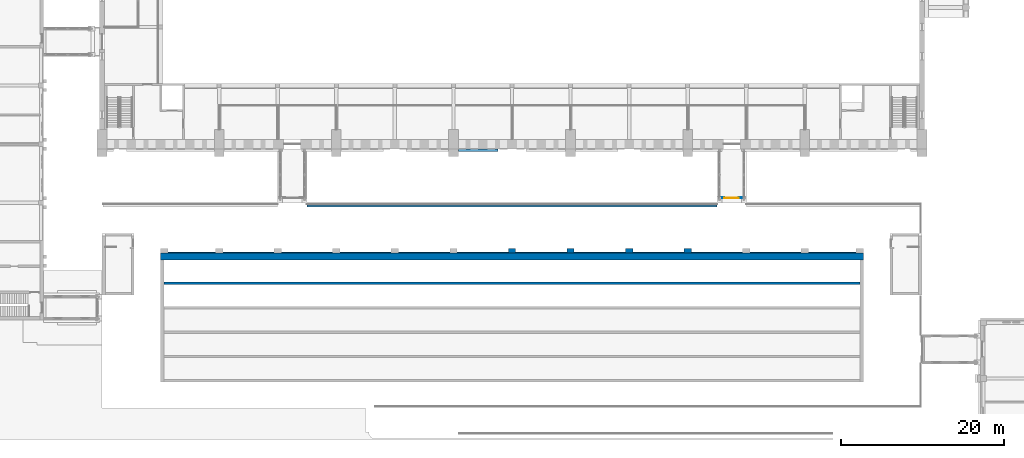
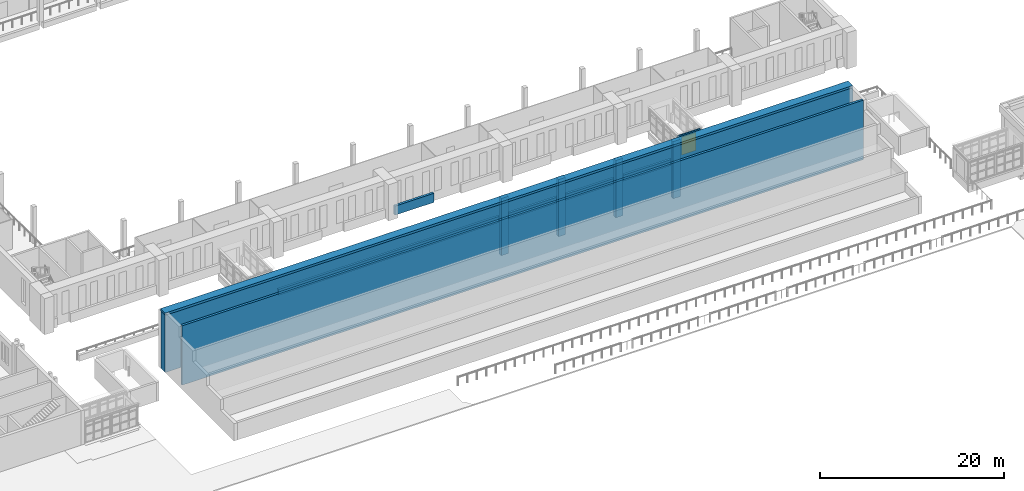
# One storey, part 80 of 131: 10 walls, 1 door, 1 opening.
"""IFC4 building model written with IfcOpenShell, lengths in metres."""

from ifc_helpers import new_model, si_unit, direction, frame, frame_2d, origin, place, context, subcontext, project, spatial, rectangle, extrude, material, layer, layer_set, type_object, element, fill, save


model = new_model("IFC4")

# Units and contexts
model_context = context("Model", 3, precision=1e-05, world=origin(), true_north=direction((0.0, 1.0)))
body_context = subcontext(model_context, "Body", "Model", "MODEL_VIEW")
ifc_project = project(units=[si_unit("LENGTHUNIT", "METRE"), si_unit("AREAUNIT", "SQUARE_METRE"), si_unit("VOLUMEUNIT", "CUBIC_METRE"), si_unit("PLANEANGLEUNIT", "RADIAN"), si_unit("MASSUNIT", "GRAM", prefix="KILO")], contexts=[model_context])

# Site, building, storey
site_placement = place(None, origin())
site = spatial("IfcSite", under=ifc_project, at=site_placement, CompositionType="ELEMENT")
building_placement = place(site_placement, origin())
building = spatial("IfcBuilding", under=site, at=building_placement, Name="Alderwick Market Hall", CompositionType="ELEMENT")
storey_placement = place(building_placement, frame((0.0, 0.0, 4.800048828125)))
storey = spatial("IfcBuildingStorey", under=building, at=storey_placement, Name="L00", CompositionType="ELEMENT", Elevation=4.800048828125)

# Walls
ifc_material_1 = material(Name="Cast stone 5000 psi", Category="masonry")
ifc_layer_1 = layer(ifc_material_1, 0.300048828125)
ifc_layer_set_1 = layer_set([ifc_layer_1], Name="Cast stone 5000 psi")
wall_type_1 = type_object("IfcWallType", Name="A Cast Stone Balustrade Parapet 300", PredefinedType="SOLIDWALL", material=ifc_layer_set_1)
wall_1_placement = place(storey_placement, frame((75.60009765625, 42.800048828125, 0.0), z_axis=(0.0, 0.0, 1.0), x_axis=(1.0, 0.0, 0.0)))
element("IfcWall", 1, at=wall_1_placement, inside=storey, type_object=wall_type_1, Name="A.S.parapet.01", PredefinedType="SOLIDWALL", context=body_context, shape_type="SweptSolid", body=[
    extrude(rectangle(XDim=50.39990234375, YDim=0.300048828125, at=frame_2d((25.199951171875, 0.0))), origin(), (0.0, 0.0, 1.0), 0.800048828125),
])
ifc_layer_2 = layer(ifc_material_1, 1.0)
ifc_layer_set_2 = layer_set([ifc_layer_2], Name="Cast stone 5000 psi")
wall_type_2 = type_object("IfcWallType", Name="A Cast Stone Bank Coping 1000", PredefinedType="SOLIDWALL", material=ifc_layer_set_2)
wall_2_placement = place(storey_placement, frame((57.60009765625, 36.64990234375, 7.599853515625), z_axis=(0.0, 0.0, 1.0), x_axis=(1.0, 0.0, 0.0)))
element("IfcWall", 2, at=wall_2_placement, inside=storey, type_object=wall_type_2, Name="Bank coping", PredefinedType="SOLIDWALL", context=body_context, shape_type="SweptSolid", body=[
    extrude(rectangle(XDim=86.39990234375, YDim=1.0, at=frame_2d((43.199951171875, 0.0))), origin(), (0.0, 0.0, 1.0), 0.300048828125),
])
ifc_material_2 = material(Name="Concrete 5000 psi (f'c 35 MPa)", Category="concrete")
ifc_layer_3 = layer(ifc_material_2, 0.89990234375)
ifc_layer_set_3 = layer_set([ifc_layer_3], Name="Concrete 5000 psi (f'c 35 MPa)")
wall_type_3 = type_object("IfcWallType", Name="A RC Bank Buttress 900", PredefinedType="SOLIDWALL", material=ifc_layer_set_3)
for number, where, z_axis, x_axis, name in (
    (3, (100.800048828125, 37.050048828125, 0.0), (0.0, 0.0, 1.0), (0.0, 1.0, 0.0), "Bank buttress"),
    (4, (108.0, 37.050048828125, 0.0), (0.0, 0.0, 1.0), (0.0, 1.0, 0.0), "Bank buttress"),
    (5, (115.199951171875, 37.050048828125, 0.0), (0.0, 0.0, 1.0), (0.0, 1.0, 0.0), "Bank buttress"),
    (6, (122.39990234375, 37.050048828125, 0.0), (0.0, 0.0, 1.0), (0.0, 1.0, 0.0), "Bank buttress"),
):
    element("IfcWall", number, at=place(storey_placement, frame(where, z_axis=z_axis, x_axis=x_axis)), inside=storey, type_object=wall_type_3, Name=name, PredefinedType="SOLIDWALL", context=body_context, shape_type="SweptSolid", body=[
        extrude(rectangle(XDim=0.5, YDim=0.89990234375, at=frame_2d((0.25, 0.0))), origin(), (0.0, 0.0, 1.0), 7.599853515625),
    ])
ifc_layer_4 = layer(ifc_material_2, 0.89990234375)
ifc_layer_set_4 = layer_set([ifc_layer_4], Name="Concrete 5000 psi (f'c 35 MPa)")
wall_type_4 = type_object("IfcWallType", Name="A RC Bank Retaining Wall 900", PredefinedType="SOLIDWALL", material=ifc_layer_set_4)
wall_3_placement = place(storey_placement, frame((57.60009765625, 36.60009765625, 0.0), z_axis=(0.0, 0.0, 1.0), x_axis=(1.0, 0.0, 0.0)))
element("IfcWall", 7, at=wall_3_placement, inside=storey, type_object=wall_type_4, Name="Bank retaining wall", PredefinedType="SOLIDWALL", context=body_context, shape_type="SweptSolid", body=[
    extrude(rectangle(XDim=86.39990234375, YDim=0.89990234375, at=frame_2d((43.199951171875, 0.0))), origin(), (0.0, 0.0, 1.0), 7.599853515625),
])
ifc_layer_5 = layer(ifc_material_2, 0.300048828125)
ifc_layer_set_5 = layer_set([ifc_layer_5], Name="Concrete 5000 psi (f'c 35 MPa)")
wall_type_5 = type_object("IfcWallType", Name="A RC Terrace Parapet Wall 300", PredefinedType="SOLIDWALL", material=ifc_layer_set_5)
wall_4_placement = place(storey_placement, frame((58.0, 33.300048828125, 0.0), z_axis=(0.0, 0.0, 1.0), x_axis=(1.0, 0.0, 0.0)))
element("IfcWall", 8, at=wall_4_placement, inside=storey, type_object=wall_type_5, Name="Terrace parapet wall 1", PredefinedType="SOLIDWALL", context=body_context, shape_type="SweptSolid", body=[
    extrude(rectangle(XDim=85.60009765625, YDim=0.300048828125, at=frame_2d((42.800048828125, 0.0))), origin(), (0.0, 0.0, 1.0), 7.89990234375),
])
ifc_material_3 = material(Name="Cast stone 5000 psi (f'c 35 MPa), ASTM C1364", Category="masonry")
ifc_layer_6 = layer(ifc_material_3, 0.300048828125)
ifc_layer_set_6 = layer_set([ifc_layer_6], Name="Cast stone 5000 psi (f'c 35 MPa), ASTM C1364")
wall_type_6 = type_object("IfcWallType", Name="H Base course 300", PredefinedType="SOLIDWALL", material=ifc_layer_set_6)
wall_5_placement = place(storey_placement, frame((94.199951171875, 49.64990234375, 0.0), z_axis=(0.0, 0.0, 1.0), x_axis=(1.0, 0.0, 0.0)))
element("IfcWall", 9, at=wall_5_placement, inside=storey, type_object=wall_type_6, Name="Base course S4", PredefinedType="SOLIDWALL", context=body_context, shape_type="SweptSolid", body=[
    extrude(rectangle(XDim=4.900146484375, YDim=0.300048828125, at=frame_2d((2.4501953125, 0.0))), origin(), (0.0, 0.0, 1.0), 1.199951171875),
])

# Wall, opening, door
ifc_material_4 = material(Name="Aluminium frame with glazing infill", Category="aluminium")
ifc_layer_7 = layer(ifc_material_4, 0.1201171875)
ifc_layer_set_7 = layer_set([ifc_layer_7], Name="Aluminium frame with glazing infill")
wall_type_7 = type_object("IfcWallType", Name="P Glazed End Wall 120", PredefinedType="SOLIDWALL", material=ifc_layer_set_7)
wall_6_placement = place(storey_placement, frame((126.3759765625, 43.81005859375, 0.0), z_axis=(0.0, 0.0, 1.0), x_axis=(1.0, 0.0, 0.0)))
wall_6 = element("IfcWall", 10, at=wall_6_placement, inside=storey, type_object=wall_type_7, Name="P.P4.endwall.low", PredefinedType="SOLIDWALL", context=body_context, shape_type="SweptSolid", body=[
    extrude(rectangle(XDim=2.84814453125, YDim=0.1201171875, at=frame_2d((1.424072265625, 0.0))), origin(), (0.0, 0.0, 1.0), 2.7529296875),
])
opening_placement = place(wall_6_placement, frame((0.52392578125, 0.0, 0.0)))
opening = element("IfcOpeningElement", 11, at=opening_placement, cuts=wall_6, Name="Opening P-D004", PredefinedType="OPENING", context=body_context, shape_type="SweptSolid", body=[
    extrude(rectangle(XDim=1.800048828125, YDim=2.39990234375, at=frame_2d((0.89990234375, 1.199951171875))), frame((0.0, 0.070068359375, 0.0), z_axis=(0.0, -1.0, 0.0), x_axis=(1.0, 0.0, 0.0)), (0.0, 0.0, 1.0), 0.14013671875),
])
ifc_material_5 = material(Name="Aluminium frame and glass", Category="aluminium")
door_type = type_object("IfcDoorType", Name="P Glazed Double Door 1800x2400", OperationType="DOUBLE_DOOR_DOUBLE_SWING", PredefinedType="DOOR", material=ifc_material_5)
door_placement = place(opening_placement, origin())
door = element("IfcDoor", 12, at=door_placement, inside=storey, type_object=door_type, Name="Passage door onto the roof", OperationType="DOUBLE_DOOR_DOUBLE_SWING", OverallHeight=2.39990234375, OverallWidth=1.800048828125, PredefinedType="DOOR", context=body_context, shape_type="SweptSolid", body=[
    extrude(rectangle(XDim=1.800048828125, YDim=2.39990234375, at=frame_2d((0.89990234375, 1.199951171875))), frame((0.0, 0.02490234375, 0.0), z_axis=(0.0, -1.0, 0.0), x_axis=(1.0, 0.0, 0.0)), (0.0, 0.0, 1.0), 0.050048828125),
])
fill(opening, door)

save(model, "model.ifc")
